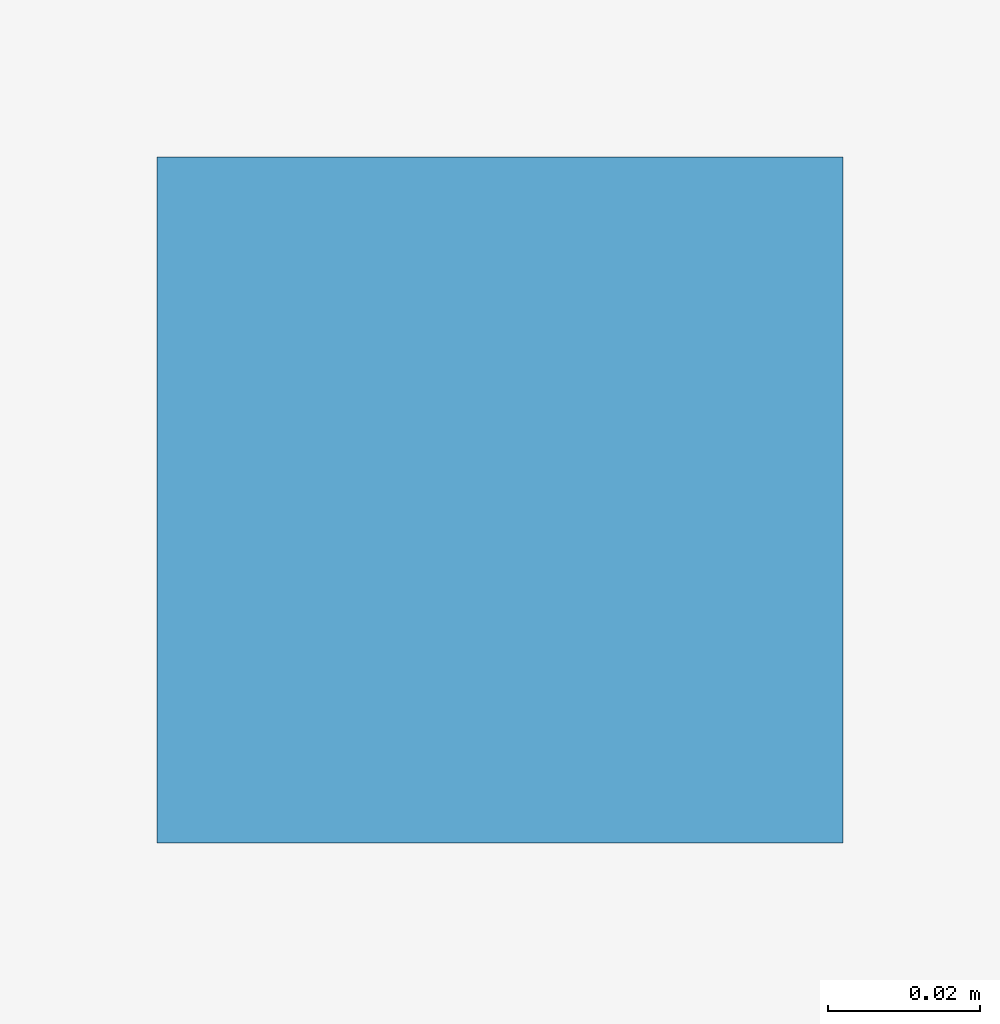
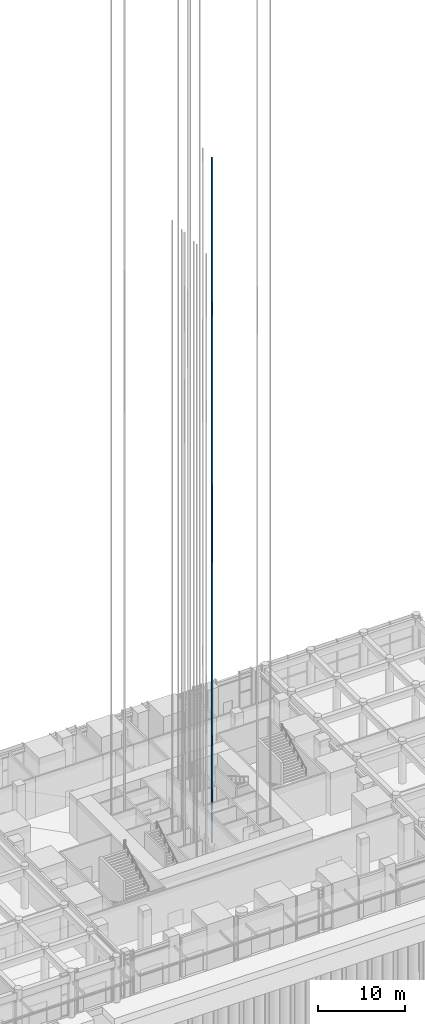
# One storey, part 35 of 46: 1 discrete accessory.
"""IFC4 building model written with IfcOpenShell, lengths in metres."""

from ifc_helpers import new_model, si_unit, direction, frame, origin, origin_2d, place, context, subcontext, project, spatial, rectangle, extrude, element, save


model = new_model("IFC4")

# Units and contexts
model_context = context("Model", 3, precision=1e-05, world=origin(), true_north=direction((0.0, 1.0)))
body_context = subcontext(model_context, "Body", "Model", "MODEL_VIEW")
ifc_project = project(units=[si_unit("LENGTHUNIT", "METRE"), si_unit("AREAUNIT", "SQUARE_METRE"), si_unit("VOLUMEUNIT", "CUBIC_METRE"), si_unit("PLANEANGLEUNIT", "RADIAN"), si_unit("MASSUNIT", "GRAM", prefix="KILO")], contexts=[model_context])

# Site, building, storey
site_placement = place(None, origin())
site = spatial("IfcSite", under=ifc_project, at=site_placement, CompositionType="ELEMENT")
building_placement = place(site_placement, origin())
building = spatial("IfcBuilding", under=site, at=building_placement, Name="Svetlomir Tower", CompositionType="ELEMENT")
storey_placement = place(building_placement, origin())
storey = spatial("IfcBuildingStorey", under=building, at=storey_placement, Name="L00", CompositionType="ELEMENT", Elevation=0.0)

# Discrete accessory
discrete_accessory_placement = place(storey_placement, frame((24.050048828125, 21.425048828125, 0.0), z_axis=(0.0, 0.0, 1.0), x_axis=(1.0, 0.0, 0.0)))
element("IfcDiscreteAccessory", 1, at=discrete_accessory_placement, inside=storey, Name="Lift SH1 guide rail 1", ObjectType="LIFT GUIDE RAIL", PredefinedType="USERDEFINED", context=body_context, shape_type="SweptSolid", body=[
    extrude(rectangle(XDim=0.090087890625, YDim=0.090087890625, at=origin_2d()), origin(), (0.0, 0.0, 1.0), 95.949951171875),
])

save(model, "model.ifc")
